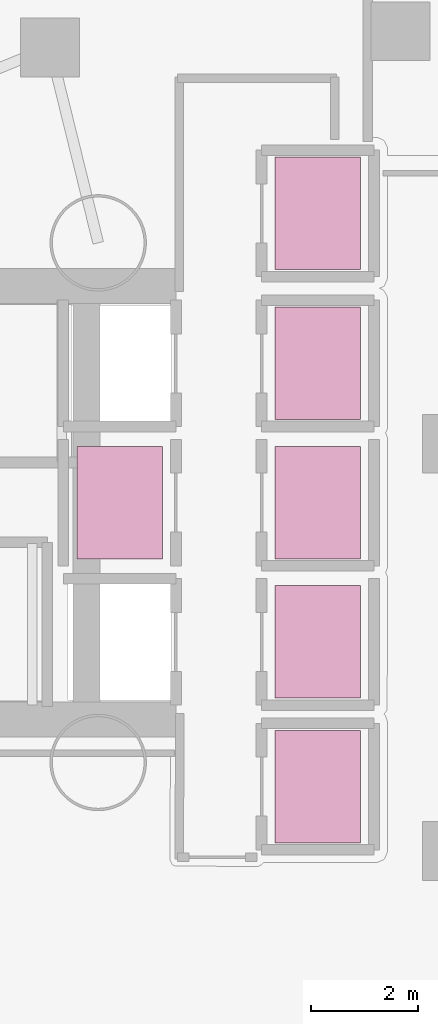
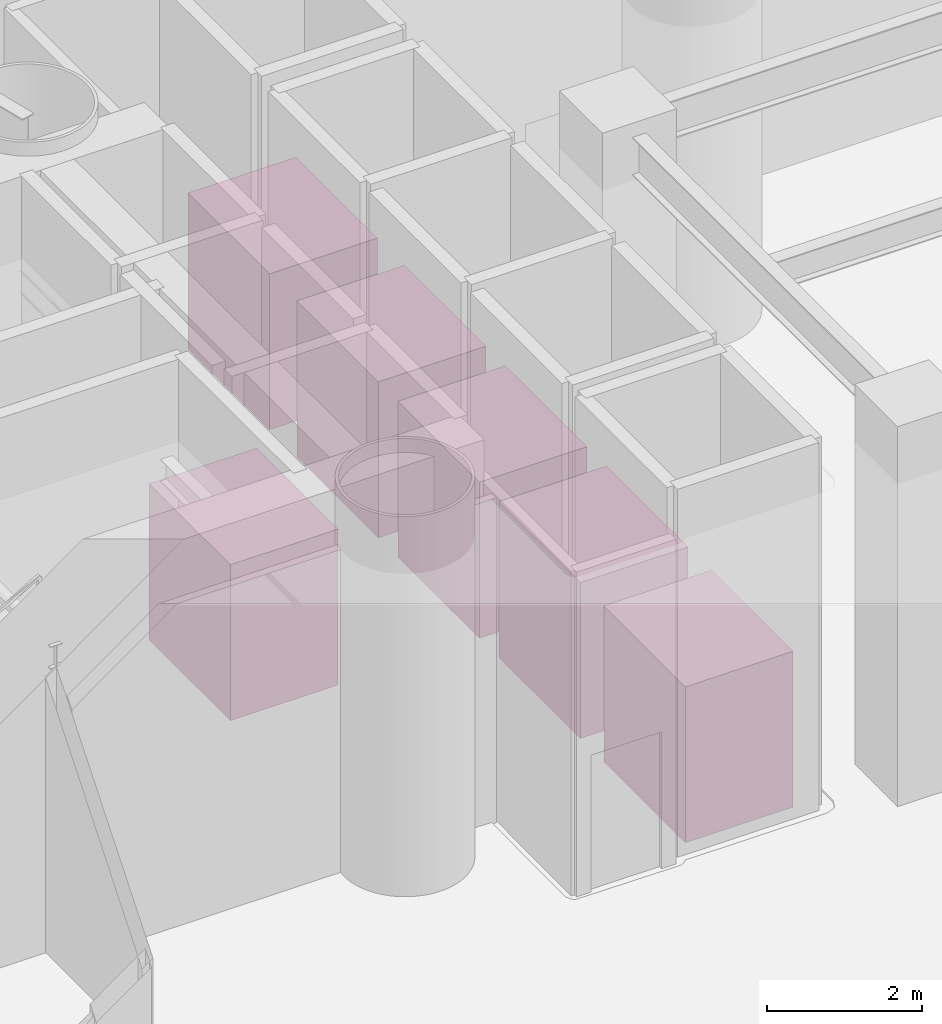
# One storey, part 40 of 40: 6 transport elements.
"""IFC4 building model written with IfcOpenShell, lengths in metres."""

from ifc_helpers import new_model, si_unit, direction, frame, origin, origin_2d, place, context, subcontext, project, spatial, rectangle, extrude, material, type_object, element, save


model = new_model("IFC4")

# Units and contexts
model_context = context("Model", 3, precision=1e-05, world=origin(), true_north=direction((0.0, 1.0)))
body_context = subcontext(model_context, "Body", "Model", "MODEL_VIEW")
ifc_project = project(units=[si_unit("LENGTHUNIT", "METRE"), si_unit("AREAUNIT", "SQUARE_METRE"), si_unit("VOLUMEUNIT", "CUBIC_METRE"), si_unit("PLANEANGLEUNIT", "RADIAN"), si_unit("MASSUNIT", "GRAM", prefix="KILO")], contexts=[model_context])

# Site, building, storey
site_placement = place(None, origin())
site = spatial("IfcSite", under=ifc_project, at=site_placement, CompositionType="ELEMENT")
building_placement = place(site_placement, origin())
building = spatial("IfcBuilding", under=site, at=building_placement, Name="Qianvela Tower", CompositionType="ELEMENT")
storey_placement = place(building_placement, origin())
storey = spatial("IfcBuildingStorey", under=building, at=storey_placement, Name="L00", CompositionType="ELEMENT", Elevation=0.0)

# Transport elements
ifc_material = material(Name="Brushed Stainless Steel and Laminated Glass Lift Car", Category="steel")
transport_element_type = type_object("IfcTransportElementType", Name="LIFT-PASS-1600", PredefinedType="ELEVATOR", material=ifc_material)
for number, where, z_axis, x_axis, name in (
    (1, (42.5, 31.300048828125, 0.0), (0.0, 0.0, 1.0), (1.0, 0.0, 0.0), "Passenger Lift PL-M1"),
    (2, (42.5, 28.699951171875, 0.0), (0.0, 0.0, 1.0), (1.0, 0.0, 0.0), "Passenger Lift PL-M2"),
    (3, (42.5, 26.10009765625, 0.0), (0.0, 0.0, 1.0), (1.0, 0.0, 0.0), "Passenger Lift PL-M3"),
    (4, (38.800048828125, 28.699951171875, 0.0), (0.0, 0.0, 1.0), (1.0, 0.0, 0.0), "Passenger Lift PL-H1"),
    (5, (42.5, 23.39990234375, 0.0), (0.0, 0.0, 1.0), (1.0, 0.0, 0.0), "Passenger Lift PL-H2"),
    (6, (42.5, 34.10009765625, 0.0), (0.0, 0.0, 1.0), (1.0, 0.0, 0.0), "Passenger Lift PL-H3"),
):
    element("IfcTransportElement", number, at=place(storey_placement, frame(where, z_axis=z_axis, x_axis=x_axis)), inside=storey, type_object=transport_element_type, Name=name, PredefinedType="ELEVATOR", context=body_context, shape_type="SweptSolid", body=[
        extrude(rectangle(XDim=1.60009765625, YDim=2.10009765625, at=origin_2d()), origin(), (0.0, 0.0, 1.0), 2.449951171875),
    ])

save(model, "model.ifc")
